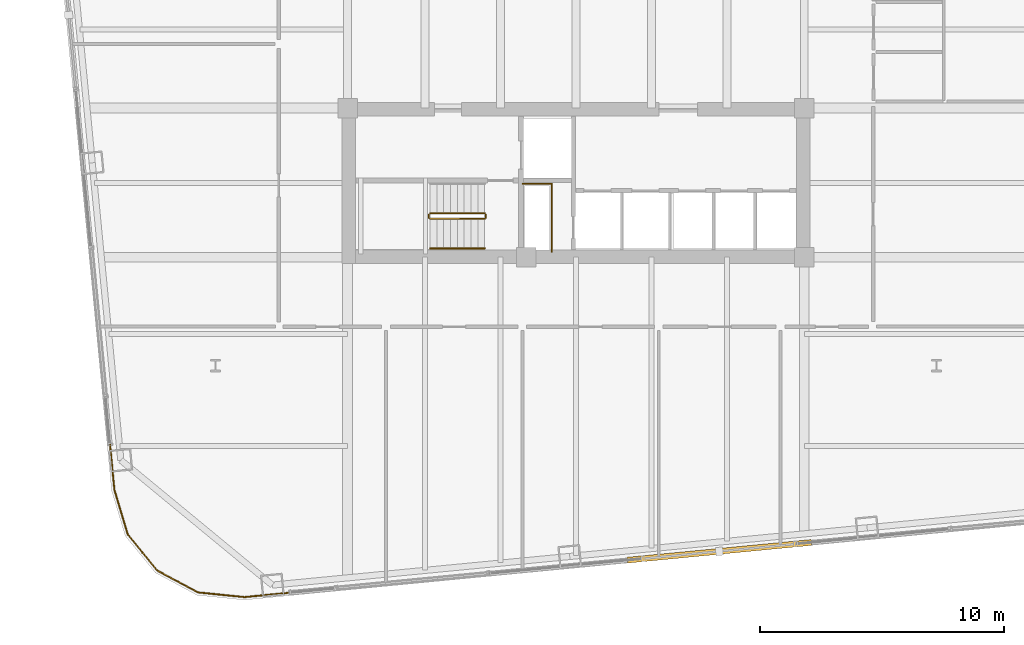
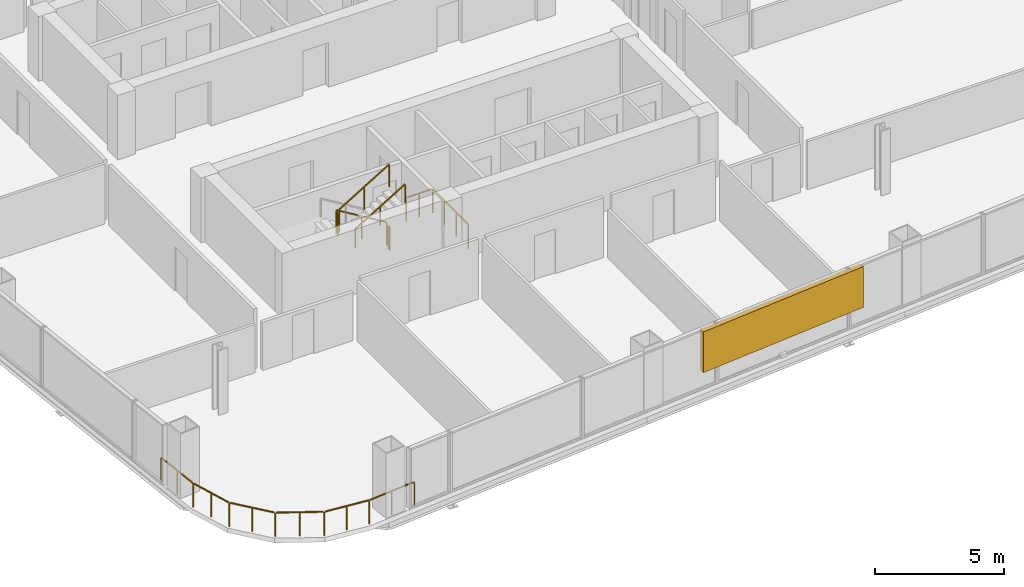
# One storey, part 32 of 34: 7 railings, 1 shading device.
"""IFC4 building model written with IfcOpenShell, lengths in metres."""

from ifc_helpers import new_model, si_unit, direction, frame, origin, origin_2d, place, context, subcontext, project, spatial, rectangle, extrude, material, type_object, element, save


model = new_model("IFC4")

# Units and contexts
model_context = context("Model", 3, precision=1e-05, world=origin(), true_north=direction((0.0, 1.0)))
body_context = subcontext(model_context, "Body", "Model", "MODEL_VIEW")
ifc_project = project(units=[si_unit("LENGTHUNIT", "METRE"), si_unit("AREAUNIT", "SQUARE_METRE"), si_unit("VOLUMEUNIT", "CUBIC_METRE"), si_unit("PLANEANGLEUNIT", "RADIAN"), si_unit("MASSUNIT", "GRAM", prefix="KILO")], contexts=[model_context])

# Site, building, storey
site_placement = place(None, origin())
site = spatial("IfcSite", under=ifc_project, at=site_placement, CompositionType="ELEMENT")
building_placement = place(site_placement, origin())
building = spatial("IfcBuilding", under=site, at=building_placement, Name="Qhalaya Broadcast Tower", CompositionType="ELEMENT")
storey_placement = place(building_placement, frame((0.0, 0.0, 78.60009765625)))
storey = spatial("IfcBuildingStorey", under=building, at=storey_placement, Name="L22", CompositionType="ELEMENT", Elevation=78.60009765625)

# Railings
ifc_material_1 = material(Name="Powder-Coated Galvanised Steel", Category="steel")
railing_type_1 = type_object("IfcRailingType", Name="Stair Wall Handrail 900", PredefinedType="HANDRAIL", material=ifc_material_1)
railing_1_placement = place(storey_placement, frame((-5.989990234375, -8.389892578125, 1.6943359375)))
element("IfcRailing", 1, at=railing_1_placement, inside=storey, type_object=railing_type_1, Name="L22 ST-2 Stair Handrail 2", PredefinedType="HANDRAIL", context=body_context, shape_type="SweptSolid", body=[
    extrude(rectangle(XDim=0.048095703125, YDim=0.048095703125, at=origin_2d()), frame((0.0, 0.0, 0.8759765625), z_axis=(0.855553338991, 0.0, 0.51771467445), x_axis=(0.0, 1.0, 0.0)), (0.0, 0.0, 1.0), 2.6181640625),
    extrude(rectangle(XDim=0.0419921875, YDim=0.0419921875, at=origin_2d()), origin(), (0.0, 0.0, 1.0), 0.849853515625),
    extrude(rectangle(XDim=0.0419921875, YDim=0.0419921875, at=origin_2d()), frame((1.1201171875, 0.0, 0.677734375)), (0.0, 0.0, 1.0), 0.849853515625),
    extrude(rectangle(XDim=0.0419921875, YDim=0.0419921875, at=origin_2d()), frame((2.239990234375, 0.0, 1.35546875)), (0.0, 0.0, 1.0), 0.849853515625),
])
railing_type_2 = type_object("IfcRailingType", Name="Stair Well & Landing Guardrail 1100", PredefinedType="GUARDRAIL", material=ifc_material_1)
railing_2_placement = place(storey_placement, frame((-1.0, -8.52001953125, 0.0)))
element("IfcRailing", 2, at=railing_2_placement, inside=storey, type_object=railing_type_2, Name="L22 Service Riser Opening Safety Guard SRSR", PredefinedType="GUARDRAIL", context=body_context, shape_type="SweptSolid", body=[
    extrude(rectangle(XDim=0.048095703125, YDim=0.048095703125, at=origin_2d()), frame((0.0, 0.0, 1.1259765625), z_axis=(0.0, 1.0, 0.0), x_axis=(-1.0, 0.0, 0.0)), (0.0, 0.0, 1.0), 2.751220703125),
    extrude(rectangle(XDim=0.048095703125, YDim=0.048095703125, at=origin_2d()), frame((-0.02880859375, 2.780029296875, 1.1259765625), z_axis=(-1.0, 0.0, 0.0), x_axis=(0.0, -1.0, 0.0)), (0.0, 0.0, 1.0), 1.151123046875),
    extrude(rectangle(XDim=0.0419921875, YDim=0.0419921875, at=origin_2d()), origin(), (0.0, 0.0, 1.0), 1.099853515625),
    extrude(rectangle(XDim=0.0419921875, YDim=0.0419921875, at=origin_2d()), frame((0.0, 0.9267578125, 0.0)), (0.0, 0.0, 1.0), 1.099853515625),
    extrude(rectangle(XDim=0.0419921875, YDim=0.0419921875, at=origin_2d()), frame((0.0, 1.853271484375, 0.0)), (0.0, 0.0, 1.0), 1.099853515625),
    extrude(rectangle(XDim=0.0419921875, YDim=0.0419921875, at=origin_2d()), frame((0.0, 2.780029296875, 0.0)), (0.0, 0.0, 1.0), 1.099853515625),
    extrude(rectangle(XDim=0.0419921875, YDim=0.0419921875, at=origin_2d()), frame((-0.58984375, 2.780029296875, 0.0)), (0.0, 0.0, 1.0), 1.099853515625),
    extrude(rectangle(XDim=0.0419921875, YDim=0.0419921875, at=origin_2d()), frame((-1.179931640625, 2.780029296875, 0.0)), (0.0, 0.0, 1.0), 1.099853515625),
])
railing_3_placement = place(storey_placement, frame((-3.75, -6.949951171875, 0.16943359375)))
element("IfcRailing", 3, at=railing_3_placement, inside=storey, type_object=railing_type_2, Name="L22 ST-2 Stair Guard 1", PredefinedType="GUARDRAIL", context=body_context, shape_type="SweptSolid", body=[
    extrude(rectangle(XDim=0.048095703125, YDim=0.048095703125, at=origin_2d()), frame((0.0, 0.0, 1.076171875), z_axis=(-0.855553338991, 0.0, 0.51771467445), x_axis=(0.0, -1.0, 0.0)), (0.0, 0.0, 1.0), 2.6181640625),
    extrude(rectangle(XDim=0.0419921875, YDim=0.0419921875, at=origin_2d()), origin(), (0.0, 0.0, 1.0), 1.050048828125),
    extrude(rectangle(XDim=0.0419921875, YDim=0.0419921875, at=origin_2d()), frame((-1.1201171875, 0.0, 0.677734375)), (0.0, 0.0, 1.0), 1.050048828125),
    extrude(rectangle(XDim=0.0419921875, YDim=0.0419921875, at=origin_2d()), frame((-2.239990234375, 0.0, 1.35546875)), (0.0, 0.0, 1.0), 1.050048828125),
])
railing_4_placement = place(storey_placement, frame((-6.0400390625, -7.0, 1.52490234375)))
element("IfcRailing", 4, at=railing_4_placement, inside=storey, type_object=railing_type_2, Name="L22 ST-2 Stair Guard 2", PredefinedType="GUARDRAIL", context=body_context, shape_type="SweptSolid", body=[
    extrude(rectangle(XDim=0.048095703125, YDim=0.048095703125, at=origin_2d()), frame((0.0, 0.0, 1.076171875), z_axis=(0.0, -1.0, 0.0), x_axis=(1.0, 0.0, 0.0)), (0.0, 0.0, 1.0), 0.1201171875),
    extrude(rectangle(XDim=0.0419921875, YDim=0.0419921875, at=origin_2d()), origin(), (0.0, 0.0, 1.0), 1.050048828125),
    extrude(rectangle(XDim=0.0419921875, YDim=0.0419921875, at=origin_2d()), frame((0.0, -0.1201171875, 0.0)), (0.0, 0.0, 1.0), 1.050048828125),
])
railing_5_placement = place(storey_placement, frame((-5.989990234375, -7.169921875, 1.6943359375)))
element("IfcRailing", 5, at=railing_5_placement, inside=storey, type_object=railing_type_2, Name="L22 ST-2 Stair Guard 3", PredefinedType="GUARDRAIL", context=body_context, shape_type="SweptSolid", body=[
    extrude(rectangle(XDim=0.048095703125, YDim=0.048095703125, at=origin_2d()), frame((0.0, 0.0, 1.076171875), z_axis=(0.855553338991, 0.0, 0.51771467445), x_axis=(0.0, 1.0, 0.0)), (0.0, 0.0, 1.0), 2.6181640625),
    extrude(rectangle(XDim=0.0419921875, YDim=0.0419921875, at=origin_2d()), origin(), (0.0, 0.0, 1.0), 1.050048828125),
    extrude(rectangle(XDim=0.0419921875, YDim=0.0419921875, at=origin_2d()), frame((1.1201171875, 0.0, 0.677734375)), (0.0, 0.0, 1.0), 1.050048828125),
    extrude(rectangle(XDim=0.0419921875, YDim=0.0419921875, at=origin_2d()), frame((2.239990234375, 0.0, 1.35546875)), (0.0, 0.0, 1.0), 1.050048828125),
])
railing_6_placement = place(storey_placement, frame((-3.699951171875, -7.0, 0.0)))
element("IfcRailing", 6, at=railing_6_placement, inside=storey, type_object=railing_type_2, Name="L22 ST-2 Stair Guard 4", PredefinedType="GUARDRAIL", context=body_context, shape_type="SweptSolid", body=[
    extrude(rectangle(XDim=0.048095703125, YDim=0.048095703125, at=origin_2d()), frame((0.0, 0.0, 1.076171875), z_axis=(0.0, -1.0, 0.0), x_axis=(1.0, 0.0, 0.0)), (0.0, 0.0, 1.0), 0.1201171875),
    extrude(rectangle(XDim=0.0419921875, YDim=0.0419921875, at=origin_2d()), origin(), (0.0, 0.0, 1.0), 1.050048828125),
    extrude(rectangle(XDim=0.0419921875, YDim=0.0419921875, at=origin_2d()), frame((0.0, -0.1201171875, 0.0)), (0.0, 0.0, 1.0), 1.050048828125),
])
railing_type_3 = type_object("IfcRailingType", Name="Terrace, Sky-Pool & Lookout Glass Balustrade 1150", PredefinedType="BALUSTRADE", material=ifc_material_1)
railing_7_placement = place(storey_placement, frame((-11.50341796875, -22.501708984375, 0.0)))
element("IfcRailing", 7, at=railing_7_placement, inside=storey, type_object=railing_type_3, Name="L22 Rounded Corner Perimeter Guard 02", PredefinedType="BALUSTRADE", context=body_context, shape_type="SweptSolid", body=[
    extrude(rectangle(XDim=0.048095703125, YDim=0.048095703125, at=origin_2d()), frame((0.0, 0.0, 1.1259765625), z_axis=(-0.995402268864, -0.095782687057, 0.0), x_axis=(0.095782687057, -0.995402268864, 0.0)), (0.0, 0.0, 1.0), 2.08935546875),
    extrude(rectangle(XDim=0.048095703125, YDim=0.048095703125, at=origin_2d()), frame((-2.13720703125, -0.199951171875, 1.1259765625), z_axis=(-0.994978953282, 0.100084377028, 0.0), x_axis=(-0.100084377028, -0.994978953282, 0.0)), (0.0, 0.0, 1.0), 1.857177734375),
    extrude(rectangle(XDim=0.048095703125, YDim=0.048095703125, at=origin_2d()), frame((-4.0390625, 0.00244140625, 1.1259765625), z_axis=(-0.880907290044, 0.473288861424, 0.0), x_axis=(-0.473288861424, -0.880907290044, 0.0)), (0.0, 0.0, 1.0), 1.845703125),
    extrude(rectangle(XDim=0.048095703125, YDim=0.048095703125, at=origin_2d()), frame((-5.708740234375, 0.912109375, 1.1259765625), z_axis=(-0.632671796541, 0.774420039683, 0.0), x_axis=(-0.774420039683, -0.632671796541, 0.0)), (0.0, 0.0, 1.0), 1.845458984375),
    extrude(rectangle(XDim=0.048095703125, YDim=0.048095703125, at=origin_2d()), frame((-6.90283203125, 2.39111328125, 1.1259765625), z_axis=(-0.288213171456, 0.95756627332, 0.0), x_axis=(-0.95756627332, -0.288213171456, 0.0)), (0.0, 0.0, 1.0), 1.857421875),
    extrude(rectangle(XDim=0.048095703125, YDim=0.048095703125, at=origin_2d()), frame((-7.44921875, 4.226318359375, 1.1259765625), z_axis=(-0.095782687057, 0.995402268864, 0.0), x_axis=(-0.995402268864, -0.095782687057, 0.0)), (0.0, 0.0, 1.0), 2.08935546875),
    extrude(rectangle(XDim=0.0419921875, YDim=0.0419921875, at=origin_2d()), origin(), (0.0, 0.0, 1.0), 1.099853515625),
    extrude(rectangle(XDim=0.0419921875, YDim=0.0419921875, at=origin_2d()), frame((-1.05419921875, -0.1015625, 0.0)), (0.0, 0.0, 1.0), 1.099853515625),
    extrude(rectangle(XDim=0.0419921875, YDim=0.0419921875, at=origin_2d()), frame((-2.1083984375, -0.202880859375, 0.0)), (0.0, 0.0, 1.0), 1.099853515625),
    extrude(rectangle(XDim=0.0419921875, YDim=0.0419921875, at=origin_2d()), frame((-3.06103515625, -0.10693359375, 0.0)), (0.0, 0.0, 1.0), 1.099853515625),
    extrude(rectangle(XDim=0.0419921875, YDim=0.0419921875, at=origin_2d()), frame((-4.013671875, -0.01123046875, 0.0)), (0.0, 0.0, 1.0), 1.099853515625),
    extrude(rectangle(XDim=0.0419921875, YDim=0.0419921875, at=origin_2d()), frame((-4.85205078125, 0.439208984375, 0.0)), (0.0, 0.0, 1.0), 1.099853515625),
    extrude(rectangle(XDim=0.0419921875, YDim=0.0419921875, at=origin_2d()), frame((-5.6904296875, 0.8896484375, 0.0)), (0.0, 0.0, 1.0), 1.099853515625),
    extrude(rectangle(XDim=0.0419921875, YDim=0.0419921875, at=origin_2d()), frame((-6.29248046875, 1.62646484375, 0.0)), (0.0, 0.0, 1.0), 1.099853515625),
    extrude(rectangle(XDim=0.0419921875, YDim=0.0419921875, at=origin_2d()), frame((-6.89453125, 2.363525390625, 0.0)), (0.0, 0.0, 1.0), 1.099853515625),
    extrude(rectangle(XDim=0.0419921875, YDim=0.0419921875, at=origin_2d()), frame((-7.17041015625, 3.280517578125, 0.0)), (0.0, 0.0, 1.0), 1.099853515625),
    extrude(rectangle(XDim=0.0419921875, YDim=0.0419921875, at=origin_2d()), frame((-7.446533203125, 4.197509765625, 0.0)), (0.0, 0.0, 1.0), 1.099853515625),
    extrude(rectangle(XDim=0.0419921875, YDim=0.0419921875, at=origin_2d()), frame((-7.5478515625, 5.251708984375, 0.0)), (0.0, 0.0, 1.0), 1.099853515625),
    extrude(rectangle(XDim=0.0419921875, YDim=0.0419921875, at=origin_2d()), frame((-7.6494140625, 6.305908203125, 0.0)), (0.0, 0.0, 1.0), 1.099853515625),
])

# Shading device
ifc_material_2 = material(Name="Fired Architectural Terracotta", Category="masonry")
shading_device_type = type_object("IfcShadingDeviceType", Name="Terracotta Baguette Solar Screen Assembly TBS-01", PredefinedType="USERDEFINED", material=ifc_material_2)
shading_device_placement = place(storey_placement, frame((5.88623046875, -20.827392578125, 0.79248046875), z_axis=(0.0, 0.0, 1.0), x_axis=(0.995396198367, 0.09584575252, 0.0)))
element("IfcShadingDevice", 8, at=shading_device_placement, inside=storey, type_object=shading_device_type, Name="L22 Fired Terracotta Baguette Screen S", ObjectType="BAGUETTE", PredefinedType="USERDEFINED", context=body_context, shape_type="SweptSolid", body=[
    extrude(rectangle(XDim=7.60009765625, YDim=0.239990234375, at=origin_2d()), origin(), (0.0, 0.0, 1.0), 1.924072265625),
])

save(model, "model.ifc")
